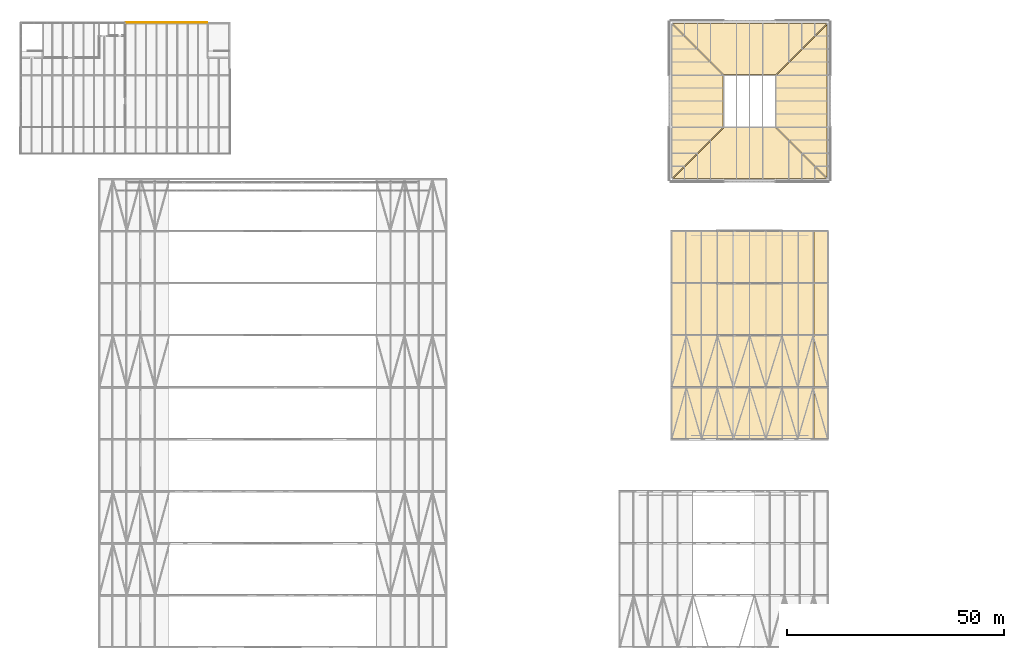
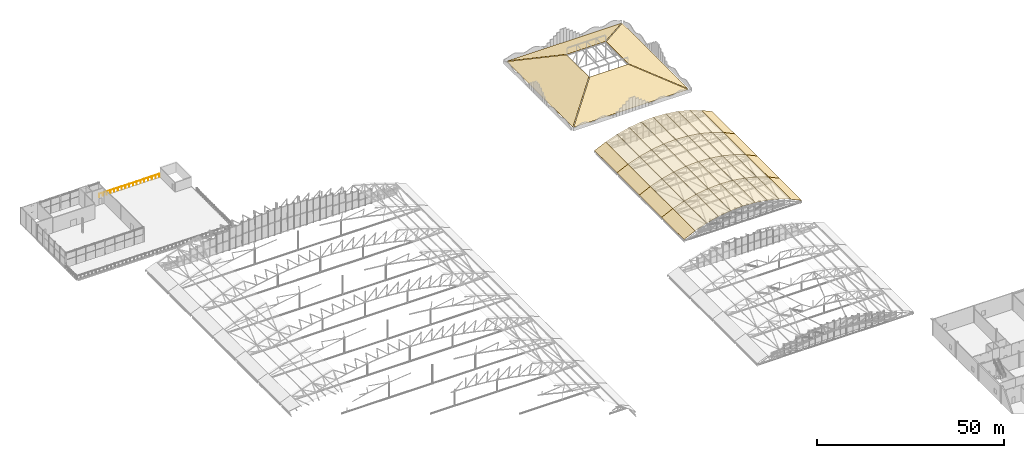
# One storey, part 319 of 321: 44 coverings, 1 railing.
"""IFC4 building model written with IfcOpenShell, lengths in metres."""

from ifc_helpers import new_model, si_unit, direction, frame, origin, origin_2d, place, context, subcontext, project, spatial, polyline, circle, outline, extrude, material, layer, layer_set, type_object, element, save


model = new_model("IFC4")

# Units and contexts
model_context = context("Model", 3, precision=1e-05, world=origin(), true_north=direction((0.0, 1.0)))
body_context = subcontext(model_context, "Body", "Model", "MODEL_VIEW")
ifc_project = project(units=[si_unit("LENGTHUNIT", "METRE"), si_unit("AREAUNIT", "SQUARE_METRE"), si_unit("VOLUMEUNIT", "CUBIC_METRE"), si_unit("PLANEANGLEUNIT", "RADIAN"), si_unit("MASSUNIT", "GRAM", prefix="KILO")], contexts=[model_context])

# Site, building, storey
site_placement = place(None, origin())
site = spatial("IfcSite", under=ifc_project, at=site_placement, CompositionType="ELEMENT")
building_placement = place(site_placement, origin())
building = spatial("IfcBuilding", under=site, at=building_placement, Name="Ravi Spectrum Wholesale Market", CompositionType="ELEMENT")
storey_placement = place(building_placement, frame((0.0, 0.0, 10.800048828125)))
storey = spatial("IfcBuildingStorey", under=building, at=storey_placement, Name="L02", CompositionType="ELEMENT", Elevation=10.800048828125)

# Railing
ifc_material_1 = material(Name="Steel S355", Category="steel")
railing_type = type_object("IfcRailingType", Name="Guard 1100", PredefinedType="GUARDRAIL", material=ifc_material_1)
railing_placement = place(storey_placement, frame((36.199951171875, 234.14990234375, 0.0)))
element("IfcRailing", 1, at=railing_placement, inside=storey, type_object=railing_type, Name="OF-RL-L02-003", PredefinedType="GUARDRAIL", context=body_context, shape_type="SweptSolid", body=[
    extrude(circle(Radius=0.02392578125, at=origin_2d()), frame((0.0, 0.0, 1.076171875), z_axis=(1.0, 0.0, 0.0), x_axis=(0.0, 1.0, 0.0)), (0.0, 0.0, 1.0), 18.675048828125),
    extrude(circle(Radius=0.02099609375, at=origin_2d()), origin(), (0.0, 0.0, 1.0), 1.052001953125),
    extrude(circle(Radius=0.02099609375, at=origin_2d()), frame((1.167236328125, 0.0, 0.0)), (0.0, 0.0, 1.0), 1.052001953125),
    extrude(circle(Radius=0.02099609375, at=origin_2d()), frame((2.33447265625, 0.0, 0.0)), (0.0, 0.0, 1.0), 1.052001953125),
    extrude(circle(Radius=0.02099609375, at=origin_2d()), frame((3.50146484375, 0.0, 0.0)), (0.0, 0.0, 1.0), 1.052001953125),
    extrude(circle(Radius=0.02099609375, at=origin_2d()), frame((4.668701171875, 0.0, 0.0)), (0.0, 0.0, 1.0), 1.052001953125),
    extrude(circle(Radius=0.02099609375, at=origin_2d()), frame((5.8359375, 0.0, 0.0)), (0.0, 0.0, 1.0), 1.052001953125),
    extrude(circle(Radius=0.02099609375, at=origin_2d()), frame((7.003173828125, 0.0, 0.0)), (0.0, 0.0, 1.0), 1.052001953125),
    extrude(circle(Radius=0.02099609375, at=origin_2d()), frame((8.17041015625, 0.0, 0.0)), (0.0, 0.0, 1.0), 1.052001953125),
    extrude(circle(Radius=0.02099609375, at=origin_2d()), frame((9.33740234375, 0.0, 0.0)), (0.0, 0.0, 1.0), 1.052001953125),
    extrude(circle(Radius=0.02099609375, at=origin_2d()), frame((10.504638671875, 0.0, 0.0)), (0.0, 0.0, 1.0), 1.052001953125),
    extrude(circle(Radius=0.02099609375, at=origin_2d()), frame((11.671875, 0.0, 0.0)), (0.0, 0.0, 1.0), 1.052001953125),
    extrude(circle(Radius=0.02099609375, at=origin_2d()), frame((12.839111328125, 0.0, 0.0)), (0.0, 0.0, 1.0), 1.052001953125),
    extrude(circle(Radius=0.02099609375, at=origin_2d()), frame((14.00634765625, 0.0, 0.0)), (0.0, 0.0, 1.0), 1.052001953125),
    extrude(circle(Radius=0.02099609375, at=origin_2d()), frame((15.173583984375, 0.0, 0.0)), (0.0, 0.0, 1.0), 1.052001953125),
    extrude(circle(Radius=0.02099609375, at=origin_2d()), frame((16.340576171875, 0.0, 0.0)), (0.0, 0.0, 1.0), 1.052001953125),
    extrude(circle(Radius=0.02099609375, at=origin_2d()), frame((17.5078125, 0.0, 0.0)), (0.0, 0.0, 1.0), 1.052001953125),
    extrude(circle(Radius=0.02099609375, at=origin_2d()), frame((18.675048828125, 0.0, 0.0)), (0.0, 0.0, 1.0), 1.052001953125),
])

# Coverings
ifc_material_2 = material(Name="Roofing membrane")
ifc_layer_1 = layer(ifc_material_2, 0.008056640625)
ifc_layer_set_1 = layer_set([ifc_layer_1], Name="Roofing membrane")
covering_type_1 = type_object("IfcCoveringType", Name="Roofing membrane 8", PredefinedType="ROOFING", material=ifc_layer_set_1)
covering_1_placement = place(storey_placement, frame((161.754150390625, 138.0, 0.474365234375), z_axis=(-0.426827636959, 0.0, 0.904332996372), x_axis=(0.904332996372, 0.0, 0.426827636959)))
element("IfcCovering", 2, at=covering_1_placement, inside=storey, type_object=covering_type_1, Name="H3-CV-L02-001", PredefinedType="ROOFING", context=body_context, shape_type="SweptSolid", body=[
    extrude(outline(polyline([(0.0, 0.0), (3.7865658114718594, 0.0), (3.7865658114718594, 12.0), (0.0, 12.0), (0.0, 0.0)])), origin(), (0.0, 0.0, -1.0), 0.008056640625),
])
covering_2_placement = place(storey_placement, frame((165.18994140625, 138.0, 2.09521484375), z_axis=(-0.3363118898, 0.0, 0.941750663806), x_axis=(0.941750663806, 0.0, 0.3363118898)))
element("IfcCovering", 3, at=covering_2_placement, inside=storey, type_object=covering_type_1, Name="H3-CV-L02-002", PredefinedType="ROOFING", context=body_context, shape_type="SweptSolid", body=[
    extrude(outline(polyline([(0.0, 0.0), (3.7864777863154533, 0.0), (3.7864777863154533, 12.0), (0.0, 12.0), (0.0, 0.0)])), origin(), (0.0, 0.0, -1.0), 0.008056640625),
])
covering_3_placement = place(storey_placement, frame((168.767822265625, 138.0, 3.372314453125), z_axis=(-0.242490113073, 0.0, 0.970153877002), x_axis=(0.970153877002, 0.0, 0.242490113073)))
element("IfcCovering", 4, at=covering_3_placement, inside=storey, type_object=covering_type_1, Name="H3-CV-L02-003", PredefinedType="ROOFING", context=body_context, shape_type="SweptSolid", body=[
    extrude(outline(polyline([(0.0, 0.0), (3.7865992926062857, 0.0), (3.7865992926062857, 12.000000000000004), (0.0, 12.000000000000004), (0.0, 0.0)])), origin(), (0.0, 0.0, -1.0), 0.008056640625),
])
covering_4_placement = place(storey_placement, frame((172.45361328125, 138.0, 4.29296875), z_axis=(-0.146492578526, 0.0, 0.989211769257), x_axis=(0.989211769257, 0.0, 0.146492578526)))
element("IfcCovering", 5, at=covering_4_placement, inside=storey, type_object=covering_type_1, Name="H3-CV-L02-004", PredefinedType="ROOFING", context=body_context, shape_type="SweptSolid", body=[
    extrude(outline(polyline([(0.0, 0.0), (3.786454614832476, 0.0), (3.786454614832476, 12.000000000000004), (0.0, 12.000000000000004), (0.0, 0.0)])), origin(), (0.0, 0.0, -1.0), 0.008056640625),
])
for number, where, z_axis, x_axis, name in (
    (6, (176.211669921875, 138.0, 4.848876953125), (-0.048937486228, 0.0, 0.998801843431), (0.998801843431, 0.0, 0.048937486228), "H3-CV-L02-005"),
    (7, (180.00634765625, 138.0, 5.0341796875), (0.048937486228, 0.0, 0.998801843431), (0.998801843431, 0.0, -0.048937486228), "H3-CV-L02-006"),
):
    element("IfcCovering", number, at=place(storey_placement, frame(where, z_axis=z_axis, x_axis=x_axis)), inside=storey, type_object=covering_type_1, Name=name, PredefinedType="ROOFING", context=body_context, shape_type="SweptSolid", body=[
        extrude(outline(polyline([(0.0, 0.0), (3.786519264804861, 0.0), (3.786519264804861, 11.999999999999998), (0.0, 11.999999999999998), (0.0, 0.0)])), origin(), (0.0, 0.0, -1.0), 0.008056640625),
    ])
covering_5_placement = place(storey_placement, frame((183.80078125, 138.0, 4.84765625), z_axis=(0.146492578526, 0.0, 0.989211769257), x_axis=(0.989211769257, 0.0, -0.146492578526)))
element("IfcCovering", 8, at=covering_5_placement, inside=storey, type_object=covering_type_1, Name="H3-CV-L02-007", PredefinedType="ROOFING", context=body_context, shape_type="SweptSolid", body=[
    extrude(outline(polyline([(0.0, 0.0), (3.786454614832476, 0.0), (3.786454614832476, 12.000000000000004), (0.0, 12.000000000000004), (0.0, 0.0)])), origin(), (0.0, 0.0, -1.0), 0.008056640625),
])
covering_6_placement = place(storey_placement, frame((187.55859375, 138.0, 4.29052734375), z_axis=(0.242490113073, 0.0, 0.970153877002), x_axis=(0.970153877002, 0.0, -0.242490113073)))
element("IfcCovering", 9, at=covering_6_placement, inside=storey, type_object=covering_type_1, Name="H3-CV-L02-008", PredefinedType="ROOFING", context=body_context, shape_type="SweptSolid", body=[
    extrude(outline(polyline([(0.0, 0.0), (3.7865992926062857, 0.0), (3.7865992926062857, 12.000000000000004), (0.0, 12.000000000000004), (0.0, 0.0)])), origin(), (0.0, 0.0, -1.0), 0.008056640625),
])
covering_7_placement = place(storey_placement, frame((191.244140625, 138.0, 3.36865234375), z_axis=(0.3363118898, 0.0, 0.941750663806), x_axis=(0.941750663806, 0.0, -0.3363118898)))
element("IfcCovering", 10, at=covering_7_placement, inside=storey, type_object=covering_type_1, Name="H3-CV-L02-009", PredefinedType="ROOFING", context=body_context, shape_type="SweptSolid", body=[
    extrude(outline(polyline([(0.0, 0.0), (3.7864777863154533, 0.0), (3.7864777863154533, 12.0), (0.0, 12.0), (0.0, 0.0)])), origin(), (0.0, 0.0, -1.0), 0.008056640625),
])
for number, where, z_axis, x_axis, name in (
    (11, (194.821533203125, 138.0, 2.090576171875), (0.426827636959, 0.0, 0.904332996372), (0.904332996372, 0.0, -0.426827636959), "H3-CV-L02-010"),
    (12, (161.754150390625, 150.0, 0.474365234375), (-0.426827636959, 0.0, 0.904332996372), (0.904332996372, 0.0, 0.426827636959), "H3-CV-L02-011"),
):
    element("IfcCovering", number, at=place(storey_placement, frame(where, z_axis=z_axis, x_axis=x_axis)), inside=storey, type_object=covering_type_1, Name=name, PredefinedType="ROOFING", context=body_context, shape_type="SweptSolid", body=[
        extrude(outline(polyline([(0.0, 0.0), (3.7865658114718594, 0.0), (3.7865658114718594, 12.0), (0.0, 12.0), (0.0, 0.0)])), origin(), (0.0, 0.0, -1.0), 0.008056640625),
    ])
covering_8_placement = place(storey_placement, frame((165.18994140625, 150.0, 2.09521484375), z_axis=(-0.3363118898, 0.0, 0.941750663806), x_axis=(0.941750663806, 0.0, 0.3363118898)))
element("IfcCovering", 13, at=covering_8_placement, inside=storey, type_object=covering_type_1, Name="H3-CV-L02-012", PredefinedType="ROOFING", context=body_context, shape_type="SweptSolid", body=[
    extrude(outline(polyline([(0.0, 0.0), (3.7864777863154533, 0.0), (3.7864777863154533, 12.0), (0.0, 12.0), (0.0, 0.0)])), origin(), (0.0, 0.0, -1.0), 0.008056640625),
])
covering_9_placement = place(storey_placement, frame((168.767822265625, 150.0, 3.372314453125), z_axis=(-0.242490113073, 0.0, 0.970153877002), x_axis=(0.970153877002, 0.0, 0.242490113073)))
element("IfcCovering", 14, at=covering_9_placement, inside=storey, type_object=covering_type_1, Name="H3-CV-L02-013", PredefinedType="ROOFING", context=body_context, shape_type="SweptSolid", body=[
    extrude(outline(polyline([(0.0, 0.0), (3.7865992926062857, 0.0), (3.7865992926062857, 12.000000000000004), (0.0, 12.000000000000004), (0.0, 0.0)])), origin(), (0.0, 0.0, -1.0), 0.008056640625),
])
covering_10_placement = place(storey_placement, frame((172.45361328125, 150.0, 4.29296875), z_axis=(-0.146492578526, 0.0, 0.989211769257), x_axis=(0.989211769257, 0.0, 0.146492578526)))
element("IfcCovering", 15, at=covering_10_placement, inside=storey, type_object=covering_type_1, Name="H3-CV-L02-014", PredefinedType="ROOFING", context=body_context, shape_type="SweptSolid", body=[
    extrude(outline(polyline([(0.0, 0.0), (3.786454614832476, 0.0), (3.786454614832476, 12.000000000000004), (0.0, 12.000000000000004), (0.0, 0.0)])), origin(), (0.0, 0.0, -1.0), 0.008056640625),
])
for number, where, z_axis, x_axis, name in (
    (16, (176.211669921875, 150.0, 4.848876953125), (-0.048937486228, 0.0, 0.998801843431), (0.998801843431, 0.0, 0.048937486228), "H3-CV-L02-015"),
    (17, (180.00634765625, 150.0, 5.0341796875), (0.048937486228, 0.0, 0.998801843431), (0.998801843431, 0.0, -0.048937486228), "H3-CV-L02-016"),
):
    element("IfcCovering", number, at=place(storey_placement, frame(where, z_axis=z_axis, x_axis=x_axis)), inside=storey, type_object=covering_type_1, Name=name, PredefinedType="ROOFING", context=body_context, shape_type="SweptSolid", body=[
        extrude(outline(polyline([(0.0, 0.0), (3.786519264804861, 0.0), (3.786519264804861, 11.999999999999998), (0.0, 11.999999999999998), (0.0, 0.0)])), origin(), (0.0, 0.0, -1.0), 0.008056640625),
    ])
covering_11_placement = place(storey_placement, frame((183.80078125, 150.0, 4.84765625), z_axis=(0.146492578526, 0.0, 0.989211769257), x_axis=(0.989211769257, 0.0, -0.146492578526)))
element("IfcCovering", 18, at=covering_11_placement, inside=storey, type_object=covering_type_1, Name="H3-CV-L02-017", PredefinedType="ROOFING", context=body_context, shape_type="SweptSolid", body=[
    extrude(outline(polyline([(0.0, 0.0), (3.786454614832476, 0.0), (3.786454614832476, 12.000000000000004), (0.0, 12.000000000000004), (0.0, 0.0)])), origin(), (0.0, 0.0, -1.0), 0.008056640625),
])
covering_12_placement = place(storey_placement, frame((187.55859375, 150.0, 4.29052734375), z_axis=(0.242490113073, 0.0, 0.970153877002), x_axis=(0.970153877002, 0.0, -0.242490113073)))
element("IfcCovering", 19, at=covering_12_placement, inside=storey, type_object=covering_type_1, Name="H3-CV-L02-018", PredefinedType="ROOFING", context=body_context, shape_type="SweptSolid", body=[
    extrude(outline(polyline([(0.0, 0.0), (3.7865992926062857, 0.0), (3.7865992926062857, 12.000000000000004), (0.0, 12.000000000000004), (0.0, 0.0)])), origin(), (0.0, 0.0, -1.0), 0.008056640625),
])
covering_13_placement = place(storey_placement, frame((191.244140625, 150.0, 3.36865234375), z_axis=(0.3363118898, 0.0, 0.941750663806), x_axis=(0.941750663806, 0.0, -0.3363118898)))
element("IfcCovering", 20, at=covering_13_placement, inside=storey, type_object=covering_type_1, Name="H3-CV-L02-019", PredefinedType="ROOFING", context=body_context, shape_type="SweptSolid", body=[
    extrude(outline(polyline([(0.0, 0.0), (3.7864777863154533, 0.0), (3.7864777863154533, 12.0), (0.0, 12.0), (0.0, 0.0)])), origin(), (0.0, 0.0, -1.0), 0.008056640625),
])
for number, where, z_axis, x_axis, name in (
    (21, (194.821533203125, 150.0, 2.090576171875), (0.426827636959, 0.0, 0.904332996372), (0.904332996372, 0.0, -0.426827636959), "H3-CV-L02-020"),
    (22, (161.754150390625, 162.0, 0.474365234375), (-0.426827636959, 0.0, 0.904332996372), (0.904332996372, 0.0, 0.426827636959), "H3-CV-L02-021"),
):
    element("IfcCovering", number, at=place(storey_placement, frame(where, z_axis=z_axis, x_axis=x_axis)), inside=storey, type_object=covering_type_1, Name=name, PredefinedType="ROOFING", context=body_context, shape_type="SweptSolid", body=[
        extrude(outline(polyline([(0.0, 0.0), (3.7865658114718594, 0.0), (3.7865658114718594, 12.0), (0.0, 12.0), (0.0, 0.0)])), origin(), (0.0, 0.0, -1.0), 0.008056640625),
    ])
covering_14_placement = place(storey_placement, frame((165.18994140625, 162.0, 2.09521484375), z_axis=(-0.3363118898, 0.0, 0.941750663806), x_axis=(0.941750663806, 0.0, 0.3363118898)))
element("IfcCovering", 23, at=covering_14_placement, inside=storey, type_object=covering_type_1, Name="H3-CV-L02-022", PredefinedType="ROOFING", context=body_context, shape_type="SweptSolid", body=[
    extrude(outline(polyline([(0.0, 0.0), (3.7864777863154533, 0.0), (3.7864777863154533, 12.0), (0.0, 12.0), (0.0, 0.0)])), origin(), (0.0, 0.0, -1.0), 0.008056640625),
])
covering_15_placement = place(storey_placement, frame((168.767822265625, 162.0, 3.372314453125), z_axis=(-0.242490113073, 0.0, 0.970153877002), x_axis=(0.970153877002, 0.0, 0.242490113073)))
element("IfcCovering", 24, at=covering_15_placement, inside=storey, type_object=covering_type_1, Name="H3-CV-L02-023", PredefinedType="ROOFING", context=body_context, shape_type="SweptSolid", body=[
    extrude(outline(polyline([(0.0, 0.0), (3.7865992926062857, 0.0), (3.7865992926062857, 12.000000000000004), (0.0, 12.000000000000004), (0.0, 0.0)])), origin(), (0.0, 0.0, -1.0), 0.008056640625),
])
covering_16_placement = place(storey_placement, frame((172.45361328125, 162.0, 4.29296875), z_axis=(-0.146492578526, 0.0, 0.989211769257), x_axis=(0.989211769257, 0.0, 0.146492578526)))
element("IfcCovering", 25, at=covering_16_placement, inside=storey, type_object=covering_type_1, Name="H3-CV-L02-024", PredefinedType="ROOFING", context=body_context, shape_type="SweptSolid", body=[
    extrude(outline(polyline([(0.0, 0.0), (3.786454614832476, 0.0), (3.786454614832476, 12.000000000000004), (0.0, 12.000000000000004), (0.0, 0.0)])), origin(), (0.0, 0.0, -1.0), 0.008056640625),
])
for number, where, z_axis, x_axis, name in (
    (26, (176.211669921875, 162.0, 4.848876953125), (-0.048937486228, 0.0, 0.998801843431), (0.998801843431, 0.0, 0.048937486228), "H3-CV-L02-025"),
    (27, (180.00634765625, 162.0, 5.0341796875), (0.048937486228, 0.0, 0.998801843431), (0.998801843431, 0.0, -0.048937486228), "H3-CV-L02-026"),
):
    element("IfcCovering", number, at=place(storey_placement, frame(where, z_axis=z_axis, x_axis=x_axis)), inside=storey, type_object=covering_type_1, Name=name, PredefinedType="ROOFING", context=body_context, shape_type="SweptSolid", body=[
        extrude(outline(polyline([(0.0, 0.0), (3.786519264804861, 0.0), (3.786519264804861, 11.999999999999998), (0.0, 11.999999999999998), (0.0, 0.0)])), origin(), (0.0, 0.0, -1.0), 0.008056640625),
    ])
covering_17_placement = place(storey_placement, frame((183.80078125, 162.0, 4.84765625), z_axis=(0.146492578526, 0.0, 0.989211769257), x_axis=(0.989211769257, 0.0, -0.146492578526)))
element("IfcCovering", 28, at=covering_17_placement, inside=storey, type_object=covering_type_1, Name="H3-CV-L02-027", PredefinedType="ROOFING", context=body_context, shape_type="SweptSolid", body=[
    extrude(outline(polyline([(0.0, 0.0), (3.786454614832476, 0.0), (3.786454614832476, 12.000000000000004), (0.0, 12.000000000000004), (0.0, 0.0)])), origin(), (0.0, 0.0, -1.0), 0.008056640625),
])
covering_18_placement = place(storey_placement, frame((187.55859375, 162.0, 4.29052734375), z_axis=(0.242490113073, 0.0, 0.970153877002), x_axis=(0.970153877002, 0.0, -0.242490113073)))
element("IfcCovering", 29, at=covering_18_placement, inside=storey, type_object=covering_type_1, Name="H3-CV-L02-028", PredefinedType="ROOFING", context=body_context, shape_type="SweptSolid", body=[
    extrude(outline(polyline([(0.0, 0.0), (3.7865992926062857, 0.0), (3.7865992926062857, 12.000000000000004), (0.0, 12.000000000000004), (0.0, 0.0)])), origin(), (0.0, 0.0, -1.0), 0.008056640625),
])
covering_19_placement = place(storey_placement, frame((191.244140625, 162.0, 3.36865234375), z_axis=(0.3363118898, 0.0, 0.941750663806), x_axis=(0.941750663806, 0.0, -0.3363118898)))
element("IfcCovering", 30, at=covering_19_placement, inside=storey, type_object=covering_type_1, Name="H3-CV-L02-029", PredefinedType="ROOFING", context=body_context, shape_type="SweptSolid", body=[
    extrude(outline(polyline([(0.0, 0.0), (3.7864777863154533, 0.0), (3.7864777863154533, 12.0), (0.0, 12.0), (0.0, 0.0)])), origin(), (0.0, 0.0, -1.0), 0.008056640625),
])
for number, where, z_axis, x_axis, name in (
    (31, (194.821533203125, 162.0, 2.090576171875), (0.426827636959, 0.0, 0.904332996372), (0.904332996372, 0.0, -0.426827636959), "H3-CV-L02-030"),
    (32, (161.754150390625, 174.0, 0.474365234375), (-0.426827636959, 0.0, 0.904332996372), (0.904332996372, 0.0, 0.426827636959), "H3-CV-L02-031"),
):
    element("IfcCovering", number, at=place(storey_placement, frame(where, z_axis=z_axis, x_axis=x_axis)), inside=storey, type_object=covering_type_1, Name=name, PredefinedType="ROOFING", context=body_context, shape_type="SweptSolid", body=[
        extrude(outline(polyline([(0.0, 0.0), (3.7865658114718594, 0.0), (3.7865658114718594, 12.0), (0.0, 12.0), (0.0, 0.0)])), origin(), (0.0, 0.0, -1.0), 0.008056640625),
    ])
covering_20_placement = place(storey_placement, frame((165.18994140625, 174.0, 2.09521484375), z_axis=(-0.3363118898, 0.0, 0.941750663806), x_axis=(0.941750663806, 0.0, 0.3363118898)))
element("IfcCovering", 33, at=covering_20_placement, inside=storey, type_object=covering_type_1, Name="H3-CV-L02-032", PredefinedType="ROOFING", context=body_context, shape_type="SweptSolid", body=[
    extrude(outline(polyline([(0.0, 0.0), (3.7864777863154533, 0.0), (3.7864777863154533, 12.0), (0.0, 12.0), (0.0, 0.0)])), origin(), (0.0, 0.0, -1.0), 0.008056640625),
])
covering_21_placement = place(storey_placement, frame((168.767822265625, 174.0, 3.372314453125), z_axis=(-0.242490113073, 0.0, 0.970153877002), x_axis=(0.970153877002, 0.0, 0.242490113073)))
element("IfcCovering", 34, at=covering_21_placement, inside=storey, type_object=covering_type_1, Name="H3-CV-L02-033", PredefinedType="ROOFING", context=body_context, shape_type="SweptSolid", body=[
    extrude(outline(polyline([(0.0, 0.0), (3.7865992926062857, 0.0), (3.7865992926062857, 12.000000000000004), (0.0, 12.000000000000004), (0.0, 0.0)])), origin(), (0.0, 0.0, -1.0), 0.008056640625),
])
covering_22_placement = place(storey_placement, frame((172.45361328125, 174.0, 4.29296875), z_axis=(-0.146492578526, 0.0, 0.989211769257), x_axis=(0.989211769257, 0.0, 0.146492578526)))
element("IfcCovering", 35, at=covering_22_placement, inside=storey, type_object=covering_type_1, Name="H3-CV-L02-034", PredefinedType="ROOFING", context=body_context, shape_type="SweptSolid", body=[
    extrude(outline(polyline([(0.0, 0.0), (3.786454614832476, 0.0), (3.786454614832476, 12.000000000000004), (0.0, 12.000000000000004), (0.0, 0.0)])), origin(), (0.0, 0.0, -1.0), 0.008056640625),
])
for number, where, z_axis, x_axis, name in (
    (36, (176.211669921875, 174.0, 4.848876953125), (-0.048937486228, 0.0, 0.998801843431), (0.998801843431, 0.0, 0.048937486228), "H3-CV-L02-035"),
    (37, (180.00634765625, 174.0, 5.0341796875), (0.048937486228, 0.0, 0.998801843431), (0.998801843431, 0.0, -0.048937486228), "H3-CV-L02-036"),
):
    element("IfcCovering", number, at=place(storey_placement, frame(where, z_axis=z_axis, x_axis=x_axis)), inside=storey, type_object=covering_type_1, Name=name, PredefinedType="ROOFING", context=body_context, shape_type="SweptSolid", body=[
        extrude(outline(polyline([(0.0, 0.0), (3.786519264804861, 0.0), (3.786519264804861, 11.999999999999998), (0.0, 11.999999999999998), (0.0, 0.0)])), origin(), (0.0, 0.0, -1.0), 0.008056640625),
    ])
covering_23_placement = place(storey_placement, frame((183.80078125, 174.0, 4.84765625), z_axis=(0.146492578526, 0.0, 0.989211769257), x_axis=(0.989211769257, 0.0, -0.146492578526)))
element("IfcCovering", 38, at=covering_23_placement, inside=storey, type_object=covering_type_1, Name="H3-CV-L02-037", PredefinedType="ROOFING", context=body_context, shape_type="SweptSolid", body=[
    extrude(outline(polyline([(0.0, 0.0), (3.786454614832476, 0.0), (3.786454614832476, 12.000000000000004), (0.0, 12.000000000000004), (0.0, 0.0)])), origin(), (0.0, 0.0, -1.0), 0.008056640625),
])
covering_24_placement = place(storey_placement, frame((187.55859375, 174.0, 4.29052734375), z_axis=(0.242490113073, 0.0, 0.970153877002), x_axis=(0.970153877002, 0.0, -0.242490113073)))
element("IfcCovering", 39, at=covering_24_placement, inside=storey, type_object=covering_type_1, Name="H3-CV-L02-038", PredefinedType="ROOFING", context=body_context, shape_type="SweptSolid", body=[
    extrude(outline(polyline([(0.0, 0.0), (3.7865992926062857, 0.0), (3.7865992926062857, 12.000000000000004), (0.0, 12.000000000000004), (0.0, 0.0)])), origin(), (0.0, 0.0, -1.0), 0.008056640625),
])
covering_25_placement = place(storey_placement, frame((191.244140625, 174.0, 3.36865234375), z_axis=(0.3363118898, 0.0, 0.941750663806), x_axis=(0.941750663806, 0.0, -0.3363118898)))
element("IfcCovering", 40, at=covering_25_placement, inside=storey, type_object=covering_type_1, Name="H3-CV-L02-039", PredefinedType="ROOFING", context=body_context, shape_type="SweptSolid", body=[
    extrude(outline(polyline([(0.0, 0.0), (3.7864777863154533, 0.0), (3.7864777863154533, 12.0), (0.0, 12.0), (0.0, 0.0)])), origin(), (0.0, 0.0, -1.0), 0.008056640625),
])
covering_26_placement = place(storey_placement, frame((194.821533203125, 174.0, 2.090576171875), z_axis=(0.426827636959, 0.0, 0.904332996372), x_axis=(0.904332996372, 0.0, -0.426827636959)))
element("IfcCovering", 41, at=covering_26_placement, inside=storey, type_object=covering_type_1, Name="H3-CV-L02-040", PredefinedType="ROOFING", context=body_context, shape_type="SweptSolid", body=[
    extrude(outline(polyline([(0.0, 0.0), (3.7865658114718594, 0.0), (3.7865658114718594, 12.0), (0.0, 12.0), (0.0, 0.0)])), origin(), (0.0, 0.0, -1.0), 0.008056640625),
])
ifc_material_3 = material(Name="Zinc standing seam")
ifc_layer_2 = layer(ifc_material_3, 0.0400390625)
ifc_layer_set_2 = layer_set([ifc_layer_2], Name="Zinc standing seam")
covering_type_2 = type_object("IfcCoveringType", Name="Standing seam roof covering 40", PredefinedType="ROOFING", material=ifc_layer_set_2)
covering_27_placement = place(storey_placement, frame((162.289794921875, 198.1201171875, 0.556884765625), z_axis=(0.0, -0.406581899828, 0.913614338073), x_axis=(0.674506806973, 0.67449280405, 0.300166661427)))
element("IfcCovering", 42, at=covering_27_placement, inside=storey, type_object=covering_type_2, Name="Roof covering", PredefinedType="ROOFING", context=body_context, shape_type="SweptSolid", body=[
    extrude(outline(polyline([(0.0, 0.0), (17.434975665258456, 2.220446049250313e-16), (25.46187014745833, -8.785685061463168), (23.891307756165325, -26.14977761544394), (0.0, 0.0)])), origin(), (0.0, 0.0, -1.0), 0.0400390625),
])
for number, where, z_axis, x_axis, name in (
    (43, (162.289794921875, 233.8798828125, 0.556884765625), (0.0, 0.406581899828, 0.913614338073), (1.0, 0.0, 0.0), "Roof covering"),
    (44, (162.1201171875, 198.289794921875, 0.556884765625), (-0.406581899828, 0.0, 0.913614338073), (0.0, 1.0, 0.0), "Roof covering"),
):
    element("IfcCovering", number, at=place(storey_placement, frame(where, z_axis=z_axis, x_axis=x_axis)), inside=storey, type_object=covering_type_2, Name=name, PredefinedType="ROOFING", context=body_context, shape_type="SweptSolid", body=[
        extrude(outline(polyline([(0.0, 0.0), (35.42041015625, 0.0), (23.660400390625, -12.871695566651624), (11.760009765625, -12.871695566651624), (0.0, 0.0)])), origin(), (0.0, 0.0, -1.0), 0.0400390625),
    ])
covering_28_placement = place(storey_placement, frame((197.8798828125, 198.289794921875, 0.556884765625), z_axis=(0.406581899828, 0.0, 0.913614338073), x_axis=(-0.67449280405, 0.674506806973, 0.300166661427)))
element("IfcCovering", 45, at=covering_28_placement, inside=storey, type_object=covering_type_2, Name="Roof covering", PredefinedType="ROOFING", context=body_context, shape_type="SweptSolid", body=[
    extrude(outline(polyline([(0.0, 0.0), (17.434975665258456, 2.220446049250313e-16), (25.46187014745833, -8.785685061463168), (23.891307756165325, -26.14977761544394), (0.0, 0.0)])), origin(), (0.0, 0.0, -1.0), 0.0400390625),
])

save(model, "model.ifc")
